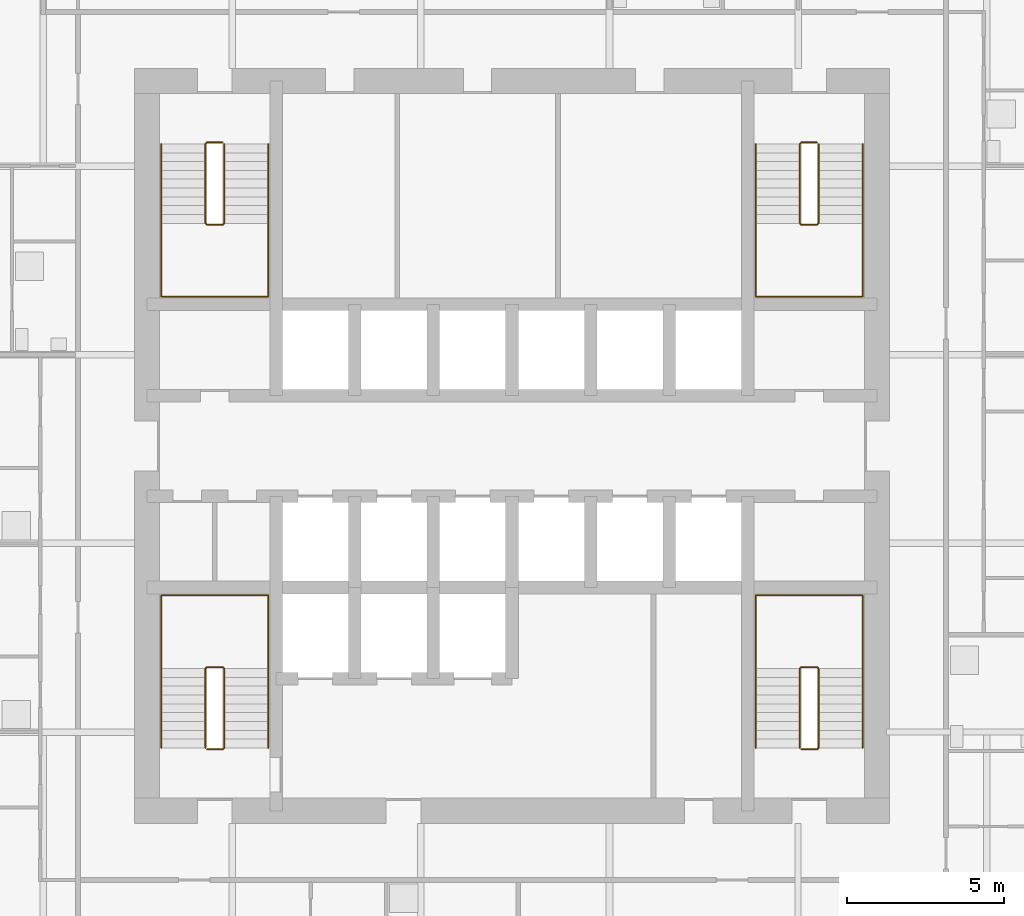
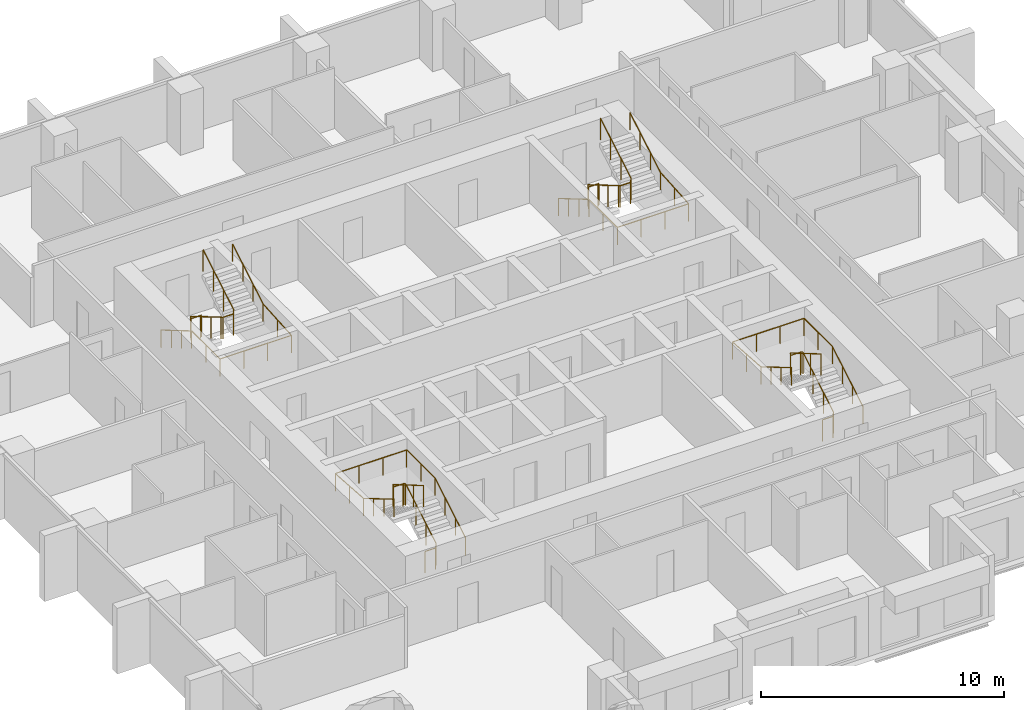
# One storey, part 9 of 10: 8 railings.
"""IFC4 building model written with IfcOpenShell, lengths in metres."""

from ifc_helpers import new_model, si_unit, direction, frame, origin, origin_2d, place, context, subcontext, project, spatial, circle, extrude, material, type_object, element, save


model = new_model("IFC4")

# Units and contexts
model_context = context("Model", 3, precision=1e-05, world=origin(), true_north=direction((0.0, 1.0)))
body_context = subcontext(model_context, "Body", "Model", "MODEL_VIEW")
ifc_project = project(units=[si_unit("LENGTHUNIT", "METRE"), si_unit("AREAUNIT", "SQUARE_METRE"), si_unit("VOLUMEUNIT", "CUBIC_METRE"), si_unit("PLANEANGLEUNIT", "RADIAN"), si_unit("MASSUNIT", "GRAM", prefix="KILO")], contexts=[model_context])

# Site, building, storey
site_placement = place(None, origin())
site = spatial("IfcSite", under=ifc_project, at=site_placement, CompositionType="ELEMENT")
building_placement = place(site_placement, origin())
building = spatial("IfcBuilding", under=site, at=building_placement, Name="Amberfall Residences", CompositionType="ELEMENT")
storey_placement = place(building_placement, frame((0.0, 0.0, 85.300048828125)))
storey = spatial("IfcBuildingStorey", under=building, at=storey_placement, Name="L22", CompositionType="ELEMENT", Elevation=85.300048828125)

# Railings
ifc_material = material(Name="Stainless steel 316", Category="steel")
railing_type_1 = type_object("IfcRailingType", Name="Stair guard 1100", PredefinedType="GUARDRAIL", material=ifc_material)
railing_1_placement = place(storey_placement, frame((64.800048828125, 35.85009765625, 0.0)))
element("IfcRailing", 1, at=railing_1_placement, inside=storey, type_object=railing_type_1, Name="L22 stair 1 guard", PredefinedType="GUARDRAIL", context=body_context, shape_type="SweptSolid", body=[
    extrude(circle(Radius=0.02392578125, at=origin_2d()), frame((0.0, 0.0, 1.076171875), z_axis=(1.0, 0.0, 0.0), x_axis=(0.0, 1.0, 0.0)), (0.0, 0.0, 1.0), 0.5),
    extrude(circle(Radius=0.02392578125, at=origin_2d()), frame((0.5, 0.0, 1.076171875), z_axis=(0.278810427259, 0.277450376394, 0.919394384522), x_axis=(-0.705375805398, 0.708833529934, 0.0)), (0.0, 0.0, 1.0), 0.179443359375),
    extrude(circle(Radius=0.02392578125, at=origin_2d()), frame((0.550048828125, 0.0498046875, 1.2412109375), z_axis=(0.0, 0.861560626758, 0.507654692109), x_axis=(-1.0, 0.0, 0.0)), (0.0, 0.0, 1.0), 2.925048828125),
    extrude(circle(Radius=0.02392578125, at=origin_2d()), frame((0.550048828125, 2.56982421875, 2.72607421875), z_axis=(-0.707106781187, 0.707106781187, 0.0), x_axis=(-0.707106781187, -0.707106781187, 0.0)), (0.0, 0.0, 1.0), 0.07080078125),
    extrude(circle(Radius=0.02392578125, at=origin_2d()), frame((0.5, 2.619873046875, 2.72607421875), z_axis=(-1.0, 0.0, 0.0), x_axis=(0.0, -1.0, 0.0)), (0.0, 0.0, 1.0), 0.5),
    extrude(circle(Radius=0.02392578125, at=origin_2d()), frame((0.0, 2.619873046875, 2.72607421875), z_axis=(-0.278705021027, -0.278705021027, 0.919046801044), x_axis=(0.707106781187, -0.707106781187, 0.0)), (0.0, 0.0, 1.0), 0.1796875),
    extrude(circle(Radius=0.02392578125, at=origin_2d()), frame((-0.050048828125, 2.56982421875, 2.89111328125), z_axis=(0.0, -0.86152411907, 0.507716645641), x_axis=(1.0, 0.0, 0.0)), (0.0, 0.0, 1.0), 2.925048828125),
    extrude(circle(Radius=0.02099609375, at=origin_2d()), origin(), (0.0, 0.0, 1.0), 1.052001953125),
    extrude(circle(Radius=0.02099609375, at=origin_2d()), frame((0.5, 0.0, 0.0)), (0.0, 0.0, 1.0), 1.052001953125),
    extrude(circle(Radius=0.02099609375, at=origin_2d()), frame((0.550048828125, 0.0498046875, 0.1650390625)), (0.0, 0.0, 1.0), 1.052001953125),
    extrude(circle(Radius=0.02099609375, at=origin_2d()), frame((0.550048828125, 0.889892578125, 0.659912109375)), (0.0, 0.0, 1.0), 1.052001953125),
    extrude(circle(Radius=0.02099609375, at=origin_2d()), frame((0.550048828125, 1.729736328125, 1.155029296875)), (0.0, 0.0, 1.0), 1.052001953125),
    extrude(circle(Radius=0.02099609375, at=origin_2d()), frame((0.550048828125, 2.56982421875, 1.64990234375)), (0.0, 0.0, 1.0), 1.052001953125),
    extrude(circle(Radius=0.02099609375, at=origin_2d()), frame((0.5, 2.619873046875, 1.64990234375)), (0.0, 0.0, 1.0), 1.052001953125),
    extrude(circle(Radius=0.02099609375, at=origin_2d()), frame((0.0, 2.619873046875, 1.64990234375)), (0.0, 0.0, 1.0), 1.052001953125),
    extrude(circle(Radius=0.02099609375, at=origin_2d()), frame((-0.050048828125, 2.56982421875, 1.81494140625)), (0.0, 0.0, 1.0), 1.052001953125),
    extrude(circle(Radius=0.02099609375, at=origin_2d()), frame((-0.050048828125, 1.729736328125, 2.31005859375)), (0.0, 0.0, 1.0), 1.052001953125),
    extrude(circle(Radius=0.02099609375, at=origin_2d()), frame((-0.050048828125, 0.889892578125, 2.804931640625)), (0.0, 0.0, 1.0), 1.052001953125),
    extrude(circle(Radius=0.02099609375, at=origin_2d()), frame((-0.050048828125, 0.0498046875, 3.300048828125)), (0.0, 0.0, 1.0), 1.052001953125),
])
railing_2_placement = place(storey_placement, frame((83.699951171875, 35.85009765625, 0.0)))
element("IfcRailing", 2, at=railing_2_placement, inside=storey, type_object=railing_type_1, Name="L22 stair 2 guard", PredefinedType="GUARDRAIL", context=body_context, shape_type="SweptSolid", body=[
    extrude(circle(Radius=0.02392578125, at=origin_2d()), frame((0.0, 0.0, 1.076171875), z_axis=(1.0, 0.0, 0.0), x_axis=(0.0, 1.0, 0.0)), (0.0, 0.0, 1.0), 0.5),
    extrude(circle(Radius=0.02392578125, at=origin_2d()), frame((0.5, 0.0, 1.076171875), z_axis=(0.278810427259, 0.277450376394, 0.919394384522), x_axis=(-0.705375805398, 0.708833529934, 0.0)), (0.0, 0.0, 1.0), 0.179443359375),
    extrude(circle(Radius=0.02392578125, at=origin_2d()), frame((0.550048828125, 0.0498046875, 1.2412109375), z_axis=(0.0, 0.861560626758, 0.507654692109), x_axis=(-1.0, 0.0, 0.0)), (0.0, 0.0, 1.0), 2.925048828125),
    extrude(circle(Radius=0.02392578125, at=origin_2d()), frame((0.550048828125, 2.56982421875, 2.72607421875), z_axis=(-0.707106781187, 0.707106781187, 0.0), x_axis=(-0.707106781187, -0.707106781187, 0.0)), (0.0, 0.0, 1.0), 0.07080078125),
    extrude(circle(Radius=0.02392578125, at=origin_2d()), frame((0.5, 2.619873046875, 2.72607421875), z_axis=(-1.0, 0.0, 0.0), x_axis=(0.0, -1.0, 0.0)), (0.0, 0.0, 1.0), 0.5),
    extrude(circle(Radius=0.02392578125, at=origin_2d()), frame((0.0, 2.619873046875, 2.72607421875), z_axis=(-0.278705021027, -0.278705021027, 0.919046801044), x_axis=(0.707106781187, -0.707106781187, 0.0)), (0.0, 0.0, 1.0), 0.1796875),
    extrude(circle(Radius=0.02392578125, at=origin_2d()), frame((-0.050048828125, 2.56982421875, 2.89111328125), z_axis=(0.0, -0.86152411907, 0.507716645641), x_axis=(1.0, 0.0, 0.0)), (0.0, 0.0, 1.0), 2.925048828125),
    extrude(circle(Radius=0.02099609375, at=origin_2d()), origin(), (0.0, 0.0, 1.0), 1.052001953125),
    extrude(circle(Radius=0.02099609375, at=origin_2d()), frame((0.5, 0.0, 0.0)), (0.0, 0.0, 1.0), 1.052001953125),
    extrude(circle(Radius=0.02099609375, at=origin_2d()), frame((0.550048828125, 0.0498046875, 0.1650390625)), (0.0, 0.0, 1.0), 1.052001953125),
    extrude(circle(Radius=0.02099609375, at=origin_2d()), frame((0.550048828125, 0.889892578125, 0.659912109375)), (0.0, 0.0, 1.0), 1.052001953125),
    extrude(circle(Radius=0.02099609375, at=origin_2d()), frame((0.550048828125, 1.729736328125, 1.155029296875)), (0.0, 0.0, 1.0), 1.052001953125),
    extrude(circle(Radius=0.02099609375, at=origin_2d()), frame((0.550048828125, 2.56982421875, 1.64990234375)), (0.0, 0.0, 1.0), 1.052001953125),
    extrude(circle(Radius=0.02099609375, at=origin_2d()), frame((0.5, 2.619873046875, 1.64990234375)), (0.0, 0.0, 1.0), 1.052001953125),
    extrude(circle(Radius=0.02099609375, at=origin_2d()), frame((0.0, 2.619873046875, 1.64990234375)), (0.0, 0.0, 1.0), 1.052001953125),
    extrude(circle(Radius=0.02099609375, at=origin_2d()), frame((-0.050048828125, 2.56982421875, 1.81494140625)), (0.0, 0.0, 1.0), 1.052001953125),
    extrude(circle(Radius=0.02099609375, at=origin_2d()), frame((-0.050048828125, 1.729736328125, 2.31005859375)), (0.0, 0.0, 1.0), 1.052001953125),
    extrude(circle(Radius=0.02099609375, at=origin_2d()), frame((-0.050048828125, 0.889892578125, 2.804931640625)), (0.0, 0.0, 1.0), 1.052001953125),
    extrude(circle(Radius=0.02099609375, at=origin_2d()), frame((-0.050048828125, 0.0498046875, 3.300048828125)), (0.0, 0.0, 1.0), 1.052001953125),
])
railing_3_placement = place(storey_placement, frame((84.199951171875, 55.14990234375, 0.0)))
element("IfcRailing", 3, at=railing_3_placement, inside=storey, type_object=railing_type_1, Name="L22 stair 3 guard", PredefinedType="GUARDRAIL", context=body_context, shape_type="SweptSolid", body=[
    extrude(circle(Radius=0.02392578125, at=origin_2d()), frame((0.0, 0.0, 1.076171875), z_axis=(-1.0, 0.0, 0.0), x_axis=(0.0, -1.0, 0.0)), (0.0, 0.0, 1.0), 0.5),
    extrude(circle(Radius=0.02392578125, at=origin_2d()), frame((-0.5, 0.0, 1.076171875), z_axis=(-0.278810427259, -0.277450376394, 0.919394384522), x_axis=(0.705375805398, -0.708833529934, 0.0)), (0.0, 0.0, 1.0), 0.179443359375),
    extrude(circle(Radius=0.02392578125, at=origin_2d()), frame((-0.550048828125, -0.0498046875, 1.2412109375), z_axis=(0.0, -0.861560626758, 0.507654692109), x_axis=(1.0, 0.0, 0.0)), (0.0, 0.0, 1.0), 2.925048828125),
    extrude(circle(Radius=0.02392578125, at=origin_2d()), frame((-0.550048828125, -2.56982421875, 2.72607421875), z_axis=(0.707106781187, -0.707106781187, 0.0), x_axis=(0.707106781187, 0.707106781187, 0.0)), (0.0, 0.0, 1.0), 0.07080078125),
    extrude(circle(Radius=0.02392578125, at=origin_2d()), frame((-0.5, -2.619873046875, 2.72607421875), z_axis=(1.0, 0.0, 0.0), x_axis=(0.0, 1.0, 0.0)), (0.0, 0.0, 1.0), 0.5),
    extrude(circle(Radius=0.02392578125, at=origin_2d()), frame((0.0, -2.619873046875, 2.72607421875), z_axis=(0.278705021027, 0.278705021027, 0.919046801044), x_axis=(-0.707106781187, 0.707106781187, 0.0)), (0.0, 0.0, 1.0), 0.1796875),
    extrude(circle(Radius=0.02392578125, at=origin_2d()), frame((0.050048828125, -2.56982421875, 2.89111328125), z_axis=(0.0, 0.86152411907, 0.507716645641), x_axis=(-1.0, 0.0, 0.0)), (0.0, 0.0, 1.0), 2.925048828125),
    extrude(circle(Radius=0.02099609375, at=origin_2d()), origin(), (0.0, 0.0, 1.0), 1.052001953125),
    extrude(circle(Radius=0.02099609375, at=origin_2d()), frame((-0.5, 0.0, 0.0)), (0.0, 0.0, 1.0), 1.052001953125),
    extrude(circle(Radius=0.02099609375, at=origin_2d()), frame((-0.550048828125, -0.0498046875, 0.1650390625)), (0.0, 0.0, 1.0), 1.052001953125),
    extrude(circle(Radius=0.02099609375, at=origin_2d()), frame((-0.550048828125, -0.889892578125, 0.659912109375)), (0.0, 0.0, 1.0), 1.052001953125),
    extrude(circle(Radius=0.02099609375, at=origin_2d()), frame((-0.550048828125, -1.729736328125, 1.155029296875)), (0.0, 0.0, 1.0), 1.052001953125),
    extrude(circle(Radius=0.02099609375, at=origin_2d()), frame((-0.550048828125, -2.56982421875, 1.64990234375)), (0.0, 0.0, 1.0), 1.052001953125),
    extrude(circle(Radius=0.02099609375, at=origin_2d()), frame((-0.5, -2.619873046875, 1.64990234375)), (0.0, 0.0, 1.0), 1.052001953125),
    extrude(circle(Radius=0.02099609375, at=origin_2d()), frame((0.0, -2.619873046875, 1.64990234375)), (0.0, 0.0, 1.0), 1.052001953125),
    extrude(circle(Radius=0.02099609375, at=origin_2d()), frame((0.050048828125, -2.56982421875, 1.81494140625)), (0.0, 0.0, 1.0), 1.052001953125),
    extrude(circle(Radius=0.02099609375, at=origin_2d()), frame((0.050048828125, -1.729736328125, 2.31005859375)), (0.0, 0.0, 1.0), 1.052001953125),
    extrude(circle(Radius=0.02099609375, at=origin_2d()), frame((0.050048828125, -0.889892578125, 2.804931640625)), (0.0, 0.0, 1.0), 1.052001953125),
    extrude(circle(Radius=0.02099609375, at=origin_2d()), frame((0.050048828125, -0.0498046875, 3.300048828125)), (0.0, 0.0, 1.0), 1.052001953125),
])
railing_4_placement = place(storey_placement, frame((65.300048828125, 55.14990234375, 0.0)))
element("IfcRailing", 4, at=railing_4_placement, inside=storey, type_object=railing_type_1, Name="L22 stair 4 guard", PredefinedType="GUARDRAIL", context=body_context, shape_type="SweptSolid", body=[
    extrude(circle(Radius=0.02392578125, at=origin_2d()), frame((0.0, 0.0, 1.076171875), z_axis=(-1.0, 0.0, 0.0), x_axis=(0.0, -1.0, 0.0)), (0.0, 0.0, 1.0), 0.5),
    extrude(circle(Radius=0.02392578125, at=origin_2d()), frame((-0.5, 0.0, 1.076171875), z_axis=(-0.278810427259, -0.277450376394, 0.919394384522), x_axis=(0.705375805398, -0.708833529934, 0.0)), (0.0, 0.0, 1.0), 0.179443359375),
    extrude(circle(Radius=0.02392578125, at=origin_2d()), frame((-0.550048828125, -0.0498046875, 1.2412109375), z_axis=(0.0, -0.861560626758, 0.507654692109), x_axis=(1.0, 0.0, 0.0)), (0.0, 0.0, 1.0), 2.925048828125),
    extrude(circle(Radius=0.02392578125, at=origin_2d()), frame((-0.550048828125, -2.56982421875, 2.72607421875), z_axis=(0.707106781187, -0.707106781187, 0.0), x_axis=(0.707106781187, 0.707106781187, 0.0)), (0.0, 0.0, 1.0), 0.07080078125),
    extrude(circle(Radius=0.02392578125, at=origin_2d()), frame((-0.5, -2.619873046875, 2.72607421875), z_axis=(1.0, 0.0, 0.0), x_axis=(0.0, 1.0, 0.0)), (0.0, 0.0, 1.0), 0.5),
    extrude(circle(Radius=0.02392578125, at=origin_2d()), frame((0.0, -2.619873046875, 2.72607421875), z_axis=(0.278705021027, 0.278705021027, 0.919046801044), x_axis=(-0.707106781187, 0.707106781187, 0.0)), (0.0, 0.0, 1.0), 0.1796875),
    extrude(circle(Radius=0.02392578125, at=origin_2d()), frame((0.050048828125, -2.56982421875, 2.89111328125), z_axis=(0.0, 0.86152411907, 0.507716645641), x_axis=(-1.0, 0.0, 0.0)), (0.0, 0.0, 1.0), 2.925048828125),
    extrude(circle(Radius=0.02099609375, at=origin_2d()), origin(), (0.0, 0.0, 1.0), 1.052001953125),
    extrude(circle(Radius=0.02099609375, at=origin_2d()), frame((-0.5, 0.0, 0.0)), (0.0, 0.0, 1.0), 1.052001953125),
    extrude(circle(Radius=0.02099609375, at=origin_2d()), frame((-0.550048828125, -0.0498046875, 0.1650390625)), (0.0, 0.0, 1.0), 1.052001953125),
    extrude(circle(Radius=0.02099609375, at=origin_2d()), frame((-0.550048828125, -0.889892578125, 0.659912109375)), (0.0, 0.0, 1.0), 1.052001953125),
    extrude(circle(Radius=0.02099609375, at=origin_2d()), frame((-0.550048828125, -1.729736328125, 1.155029296875)), (0.0, 0.0, 1.0), 1.052001953125),
    extrude(circle(Radius=0.02099609375, at=origin_2d()), frame((-0.550048828125, -2.56982421875, 1.64990234375)), (0.0, 0.0, 1.0), 1.052001953125),
    extrude(circle(Radius=0.02099609375, at=origin_2d()), frame((-0.5, -2.619873046875, 1.64990234375)), (0.0, 0.0, 1.0), 1.052001953125),
    extrude(circle(Radius=0.02099609375, at=origin_2d()), frame((0.0, -2.619873046875, 1.64990234375)), (0.0, 0.0, 1.0), 1.052001953125),
    extrude(circle(Radius=0.02099609375, at=origin_2d()), frame((0.050048828125, -2.56982421875, 1.81494140625)), (0.0, 0.0, 1.0), 1.052001953125),
    extrude(circle(Radius=0.02099609375, at=origin_2d()), frame((0.050048828125, -1.729736328125, 2.31005859375)), (0.0, 0.0, 1.0), 1.052001953125),
    extrude(circle(Radius=0.02099609375, at=origin_2d()), frame((0.050048828125, -0.889892578125, 2.804931640625)), (0.0, 0.0, 1.0), 1.052001953125),
    extrude(circle(Radius=0.02099609375, at=origin_2d()), frame((0.050048828125, -0.0498046875, 3.300048828125)), (0.0, 0.0, 1.0), 1.052001953125),
])
railing_type_2 = type_object("IfcRailingType", Name="Stair handrail 900", PredefinedType="HANDRAIL", material=ifc_material)
railing_5_placement = place(storey_placement, frame((66.75, 35.89990234375, 0.1650390625)))
element("IfcRailing", 5, at=railing_5_placement, inside=storey, type_object=railing_type_2, Name="L22 stair 1 handrail", PredefinedType="HANDRAIL", context=body_context, shape_type="SweptSolid", body=[
    extrude(circle(Radius=0.02392578125, at=origin_2d()), frame((0.0, 0.0, 0.8759765625), z_axis=(0.0, 0.861560626758, 0.507654692109), x_axis=(-1.0, 0.0, 0.0)), (0.0, 0.0, 1.0), 2.925048828125),
    extrude(circle(Radius=0.02392578125, at=origin_2d()), frame((0.0, 2.52001953125, 2.36083984375), z_axis=(0.0, 1.0, 0.0), x_axis=(-1.0, 0.0, 0.0)), (0.0, 0.0, 1.0), 2.330078125),
    extrude(circle(Radius=0.02392578125, at=origin_2d()), frame((0.0, 4.85009765625, 2.36083984375), z_axis=(-1.0, 0.0, 0.0), x_axis=(0.0, -1.0, 0.0)), (0.0, 0.0, 1.0), 3.39990234375),
    extrude(circle(Radius=0.02392578125, at=origin_2d()), frame((-3.39990234375, 4.85009765625, 2.36083984375), z_axis=(0.0, -0.997500965899, 0.07065283455), x_axis=(1.0, 0.0, 0.0)), (0.0, 0.0, 1.0), 2.3359375),
    extrude(circle(Radius=0.02392578125, at=origin_2d()), frame((-3.39990234375, 2.52001953125, 2.52587890625), z_axis=(0.0, -0.86152411907, 0.507716645641), x_axis=(1.0, 0.0, 0.0)), (0.0, 0.0, 1.0), 2.925048828125),
    extrude(circle(Radius=0.02099609375, at=origin_2d()), origin(), (0.0, 0.0, 1.0), 0.851806640625),
    extrude(circle(Radius=0.02099609375, at=origin_2d()), frame((0.0, 0.840087890625, 0.494873046875)), (0.0, 0.0, 1.0), 0.851806640625),
    extrude(circle(Radius=0.02099609375, at=origin_2d()), frame((0.0, 1.679931640625, 0.989990234375)), (0.0, 0.0, 1.0), 0.851806640625),
    extrude(circle(Radius=0.02099609375, at=origin_2d()), frame((0.0, 2.52001953125, 1.48486328125)), (0.0, 0.0, 1.0), 0.851806640625),
    extrude(circle(Radius=0.02099609375, at=origin_2d()), frame((0.0, 3.68505859375, 1.48486328125)), (0.0, 0.0, 1.0), 0.851806640625),
    extrude(circle(Radius=0.02099609375, at=origin_2d()), frame((0.0, 4.85009765625, 1.48486328125)), (0.0, 0.0, 1.0), 0.851806640625),
    extrude(circle(Radius=0.02099609375, at=origin_2d()), frame((-1.13330078125, 4.85009765625, 1.48486328125)), (0.0, 0.0, 1.0), 0.851806640625),
    extrude(circle(Radius=0.02099609375, at=origin_2d()), frame((-2.2666015625, 4.85009765625, 1.48486328125)), (0.0, 0.0, 1.0), 0.851806640625),
    extrude(circle(Radius=0.02099609375, at=origin_2d()), frame((-3.39990234375, 4.85009765625, 1.48486328125)), (0.0, 0.0, 1.0), 0.851806640625),
    extrude(circle(Radius=0.02099609375, at=origin_2d()), frame((-3.39990234375, 3.68505859375, 1.5673828125)), (0.0, 0.0, 1.0), 0.851806640625),
    extrude(circle(Radius=0.02099609375, at=origin_2d()), frame((-3.39990234375, 2.52001953125, 1.64990234375)), (0.0, 0.0, 1.0), 0.851806640625),
    extrude(circle(Radius=0.02099609375, at=origin_2d()), frame((-3.39990234375, 1.679931640625, 2.14501953125)), (0.0, 0.0, 1.0), 0.851806640625),
    extrude(circle(Radius=0.02099609375, at=origin_2d()), frame((-3.39990234375, 0.840087890625, 2.639892578125)), (0.0, 0.0, 1.0), 0.851806640625),
    extrude(circle(Radius=0.02099609375, at=origin_2d()), frame((-3.39990234375, 0.0, 3.135009765625)), (0.0, 0.0, 1.0), 0.851806640625),
])
railing_6_placement = place(storey_placement, frame((85.64990234375, 35.89990234375, 0.1650390625)))
element("IfcRailing", 6, at=railing_6_placement, inside=storey, type_object=railing_type_2, Name="L22 stair 2 handrail", PredefinedType="HANDRAIL", context=body_context, shape_type="SweptSolid", body=[
    extrude(circle(Radius=0.02392578125, at=origin_2d()), frame((0.0, 0.0, 0.8759765625), z_axis=(0.0, 0.861560626758, 0.507654692109), x_axis=(-1.0, 0.0, 0.0)), (0.0, 0.0, 1.0), 2.925048828125),
    extrude(circle(Radius=0.02392578125, at=origin_2d()), frame((0.0, 2.52001953125, 2.36083984375), z_axis=(0.0, 1.0, 0.0), x_axis=(-1.0, 0.0, 0.0)), (0.0, 0.0, 1.0), 2.330078125),
    extrude(circle(Radius=0.02392578125, at=origin_2d()), frame((0.0, 4.85009765625, 2.36083984375), z_axis=(-1.0, 0.0, 0.0), x_axis=(0.0, -1.0, 0.0)), (0.0, 0.0, 1.0), 3.39990234375),
    extrude(circle(Radius=0.02392578125, at=origin_2d()), frame((-3.39990234375, 4.85009765625, 2.36083984375), z_axis=(0.0, -0.997500965899, 0.07065283455), x_axis=(1.0, 0.0, 0.0)), (0.0, 0.0, 1.0), 2.3359375),
    extrude(circle(Radius=0.02392578125, at=origin_2d()), frame((-3.39990234375, 2.52001953125, 2.52587890625), z_axis=(0.0, -0.86152411907, 0.507716645641), x_axis=(1.0, 0.0, 0.0)), (0.0, 0.0, 1.0), 2.925048828125),
    extrude(circle(Radius=0.02099609375, at=origin_2d()), origin(), (0.0, 0.0, 1.0), 0.851806640625),
    extrude(circle(Radius=0.02099609375, at=origin_2d()), frame((0.0, 0.840087890625, 0.494873046875)), (0.0, 0.0, 1.0), 0.851806640625),
    extrude(circle(Radius=0.02099609375, at=origin_2d()), frame((0.0, 1.679931640625, 0.989990234375)), (0.0, 0.0, 1.0), 0.851806640625),
    extrude(circle(Radius=0.02099609375, at=origin_2d()), frame((0.0, 2.52001953125, 1.48486328125)), (0.0, 0.0, 1.0), 0.851806640625),
    extrude(circle(Radius=0.02099609375, at=origin_2d()), frame((0.0, 3.68505859375, 1.48486328125)), (0.0, 0.0, 1.0), 0.851806640625),
    extrude(circle(Radius=0.02099609375, at=origin_2d()), frame((0.0, 4.85009765625, 1.48486328125)), (0.0, 0.0, 1.0), 0.851806640625),
    extrude(circle(Radius=0.02099609375, at=origin_2d()), frame((-1.13330078125, 4.85009765625, 1.48486328125)), (0.0, 0.0, 1.0), 0.851806640625),
    extrude(circle(Radius=0.02099609375, at=origin_2d()), frame((-2.2666015625, 4.85009765625, 1.48486328125)), (0.0, 0.0, 1.0), 0.851806640625),
    extrude(circle(Radius=0.02099609375, at=origin_2d()), frame((-3.39990234375, 4.85009765625, 1.48486328125)), (0.0, 0.0, 1.0), 0.851806640625),
    extrude(circle(Radius=0.02099609375, at=origin_2d()), frame((-3.39990234375, 3.68505859375, 1.5673828125)), (0.0, 0.0, 1.0), 0.851806640625),
    extrude(circle(Radius=0.02099609375, at=origin_2d()), frame((-3.39990234375, 2.52001953125, 1.64990234375)), (0.0, 0.0, 1.0), 0.851806640625),
    extrude(circle(Radius=0.02099609375, at=origin_2d()), frame((-3.39990234375, 1.679931640625, 2.14501953125)), (0.0, 0.0, 1.0), 0.851806640625),
    extrude(circle(Radius=0.02099609375, at=origin_2d()), frame((-3.39990234375, 0.840087890625, 2.639892578125)), (0.0, 0.0, 1.0), 0.851806640625),
    extrude(circle(Radius=0.02099609375, at=origin_2d()), frame((-3.39990234375, 0.0, 3.135009765625)), (0.0, 0.0, 1.0), 0.851806640625),
])
railing_7_placement = place(storey_placement, frame((82.25, 55.10009765625, 0.1650390625)))
element("IfcRailing", 7, at=railing_7_placement, inside=storey, type_object=railing_type_2, Name="L22 stair 3 handrail", PredefinedType="HANDRAIL", context=body_context, shape_type="SweptSolid", body=[
    extrude(circle(Radius=0.02392578125, at=origin_2d()), frame((0.0, 0.0, 0.8759765625), z_axis=(0.0, -0.861560626758, 0.507654692109), x_axis=(1.0, 0.0, 0.0)), (0.0, 0.0, 1.0), 2.925048828125),
    extrude(circle(Radius=0.02392578125, at=origin_2d()), frame((0.0, -2.52001953125, 2.36083984375), z_axis=(0.0, -1.0, 0.0), x_axis=(1.0, 0.0, 0.0)), (0.0, 0.0, 1.0), 2.330078125),
    extrude(circle(Radius=0.02392578125, at=origin_2d()), frame((0.0, -4.85009765625, 2.36083984375), z_axis=(1.0, 0.0, 0.0), x_axis=(0.0, 1.0, 0.0)), (0.0, 0.0, 1.0), 3.39990234375),
    extrude(circle(Radius=0.02392578125, at=origin_2d()), frame((3.39990234375, -4.85009765625, 2.36083984375), z_axis=(0.0, 0.997500965899, 0.07065283455), x_axis=(-1.0, 0.0, 0.0)), (0.0, 0.0, 1.0), 2.3359375),
    extrude(circle(Radius=0.02392578125, at=origin_2d()), frame((3.39990234375, -2.52001953125, 2.52587890625), z_axis=(0.0, 0.86152411907, 0.507716645641), x_axis=(-1.0, 0.0, 0.0)), (0.0, 0.0, 1.0), 2.925048828125),
    extrude(circle(Radius=0.02099609375, at=origin_2d()), origin(), (0.0, 0.0, 1.0), 0.851806640625),
    extrude(circle(Radius=0.02099609375, at=origin_2d()), frame((0.0, -0.840087890625, 0.494873046875)), (0.0, 0.0, 1.0), 0.851806640625),
    extrude(circle(Radius=0.02099609375, at=origin_2d()), frame((0.0, -1.679931640625, 0.989990234375)), (0.0, 0.0, 1.0), 0.851806640625),
    extrude(circle(Radius=0.02099609375, at=origin_2d()), frame((0.0, -2.52001953125, 1.48486328125)), (0.0, 0.0, 1.0), 0.851806640625),
    extrude(circle(Radius=0.02099609375, at=origin_2d()), frame((0.0, -3.68505859375, 1.48486328125)), (0.0, 0.0, 1.0), 0.851806640625),
    extrude(circle(Radius=0.02099609375, at=origin_2d()), frame((0.0, -4.85009765625, 1.48486328125)), (0.0, 0.0, 1.0), 0.851806640625),
    extrude(circle(Radius=0.02099609375, at=origin_2d()), frame((1.13330078125, -4.85009765625, 1.48486328125)), (0.0, 0.0, 1.0), 0.851806640625),
    extrude(circle(Radius=0.02099609375, at=origin_2d()), frame((2.2666015625, -4.85009765625, 1.48486328125)), (0.0, 0.0, 1.0), 0.851806640625),
    extrude(circle(Radius=0.02099609375, at=origin_2d()), frame((3.39990234375, -4.85009765625, 1.48486328125)), (0.0, 0.0, 1.0), 0.851806640625),
    extrude(circle(Radius=0.02099609375, at=origin_2d()), frame((3.39990234375, -3.68505859375, 1.5673828125)), (0.0, 0.0, 1.0), 0.851806640625),
    extrude(circle(Radius=0.02099609375, at=origin_2d()), frame((3.39990234375, -2.52001953125, 1.64990234375)), (0.0, 0.0, 1.0), 0.851806640625),
    extrude(circle(Radius=0.02099609375, at=origin_2d()), frame((3.39990234375, -1.679931640625, 2.14501953125)), (0.0, 0.0, 1.0), 0.851806640625),
    extrude(circle(Radius=0.02099609375, at=origin_2d()), frame((3.39990234375, -0.840087890625, 2.639892578125)), (0.0, 0.0, 1.0), 0.851806640625),
    extrude(circle(Radius=0.02099609375, at=origin_2d()), frame((3.39990234375, 0.0, 3.135009765625)), (0.0, 0.0, 1.0), 0.851806640625),
])
railing_8_placement = place(storey_placement, frame((63.35009765625, 55.10009765625, 0.1650390625)))
element("IfcRailing", 8, at=railing_8_placement, inside=storey, type_object=railing_type_2, Name="L22 stair 4 handrail", PredefinedType="HANDRAIL", context=body_context, shape_type="SweptSolid", body=[
    extrude(circle(Radius=0.02392578125, at=origin_2d()), frame((0.0, 0.0, 0.8759765625), z_axis=(0.0, -0.861560626758, 0.507654692109), x_axis=(1.0, 0.0, 0.0)), (0.0, 0.0, 1.0), 2.925048828125),
    extrude(circle(Radius=0.02392578125, at=origin_2d()), frame((0.0, -2.52001953125, 2.36083984375), z_axis=(0.0, -1.0, 0.0), x_axis=(1.0, 0.0, 0.0)), (0.0, 0.0, 1.0), 2.330078125),
    extrude(circle(Radius=0.02392578125, at=origin_2d()), frame((0.0, -4.85009765625, 2.36083984375), z_axis=(1.0, 0.0, 0.0), x_axis=(0.0, 1.0, 0.0)), (0.0, 0.0, 1.0), 3.39990234375),
    extrude(circle(Radius=0.02392578125, at=origin_2d()), frame((3.39990234375, -4.85009765625, 2.36083984375), z_axis=(0.0, 0.997500965899, 0.07065283455), x_axis=(-1.0, 0.0, 0.0)), (0.0, 0.0, 1.0), 2.3359375),
    extrude(circle(Radius=0.02392578125, at=origin_2d()), frame((3.39990234375, -2.52001953125, 2.52587890625), z_axis=(0.0, 0.86152411907, 0.507716645641), x_axis=(-1.0, 0.0, 0.0)), (0.0, 0.0, 1.0), 2.925048828125),
    extrude(circle(Radius=0.02099609375, at=origin_2d()), origin(), (0.0, 0.0, 1.0), 0.851806640625),
    extrude(circle(Radius=0.02099609375, at=origin_2d()), frame((0.0, -0.840087890625, 0.494873046875)), (0.0, 0.0, 1.0), 0.851806640625),
    extrude(circle(Radius=0.02099609375, at=origin_2d()), frame((0.0, -1.679931640625, 0.989990234375)), (0.0, 0.0, 1.0), 0.851806640625),
    extrude(circle(Radius=0.02099609375, at=origin_2d()), frame((0.0, -2.52001953125, 1.48486328125)), (0.0, 0.0, 1.0), 0.851806640625),
    extrude(circle(Radius=0.02099609375, at=origin_2d()), frame((0.0, -3.68505859375, 1.48486328125)), (0.0, 0.0, 1.0), 0.851806640625),
    extrude(circle(Radius=0.02099609375, at=origin_2d()), frame((0.0, -4.85009765625, 1.48486328125)), (0.0, 0.0, 1.0), 0.851806640625),
    extrude(circle(Radius=0.02099609375, at=origin_2d()), frame((1.13330078125, -4.85009765625, 1.48486328125)), (0.0, 0.0, 1.0), 0.851806640625),
    extrude(circle(Radius=0.02099609375, at=origin_2d()), frame((2.2666015625, -4.85009765625, 1.48486328125)), (0.0, 0.0, 1.0), 0.851806640625),
    extrude(circle(Radius=0.02099609375, at=origin_2d()), frame((3.39990234375, -4.85009765625, 1.48486328125)), (0.0, 0.0, 1.0), 0.851806640625),
    extrude(circle(Radius=0.02099609375, at=origin_2d()), frame((3.39990234375, -3.68505859375, 1.5673828125)), (0.0, 0.0, 1.0), 0.851806640625),
    extrude(circle(Radius=0.02099609375, at=origin_2d()), frame((3.39990234375, -2.52001953125, 1.64990234375)), (0.0, 0.0, 1.0), 0.851806640625),
    extrude(circle(Radius=0.02099609375, at=origin_2d()), frame((3.39990234375, -1.679931640625, 2.14501953125)), (0.0, 0.0, 1.0), 0.851806640625),
    extrude(circle(Radius=0.02099609375, at=origin_2d()), frame((3.39990234375, -0.840087890625, 2.639892578125)), (0.0, 0.0, 1.0), 0.851806640625),
    extrude(circle(Radius=0.02099609375, at=origin_2d()), frame((3.39990234375, 0.0, 3.135009765625)), (0.0, 0.0, 1.0), 0.851806640625),
])

save(model, "model.ifc")
